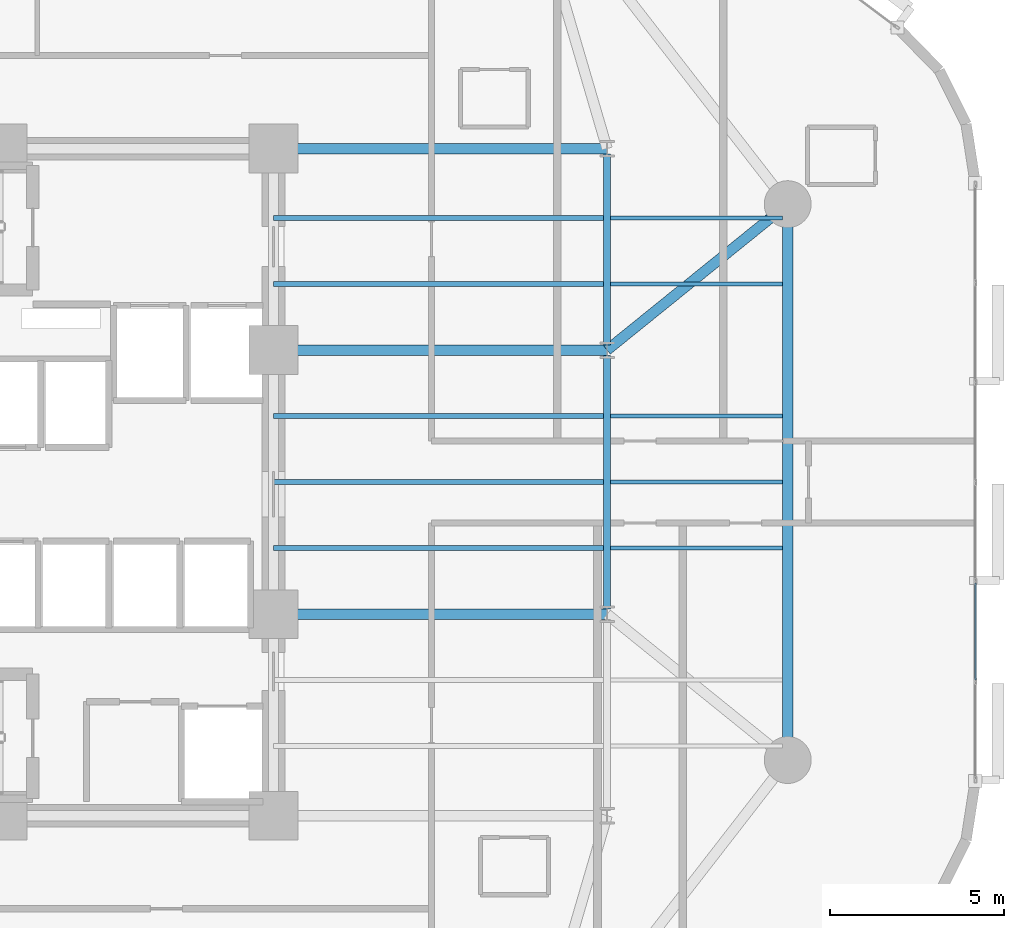
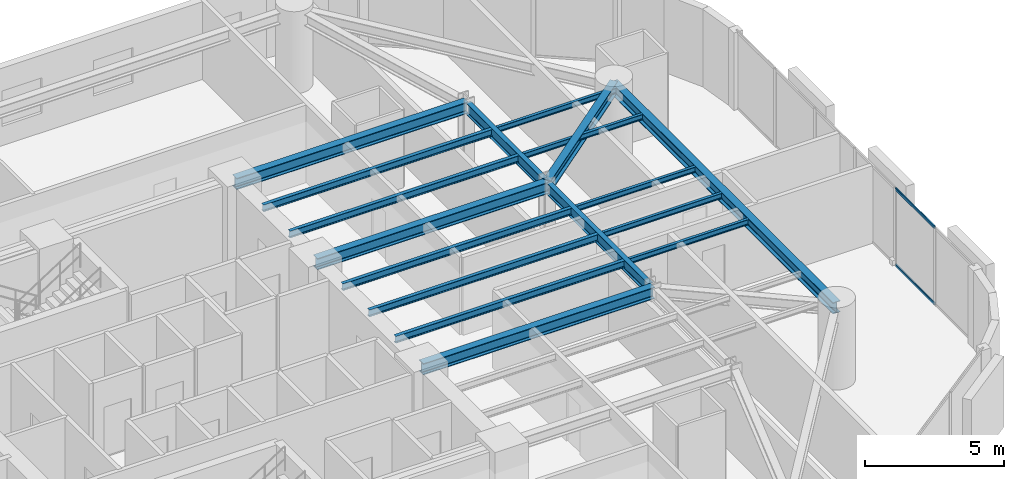
# One storey, part 5 of 16: 17 beams, 2 members, 1 element without a shape of its own.
"""IFC4 building model written with IfcOpenShell, lengths in metres."""

import ifcopenshell
import ifcopenshell.guid

model = None  # the IFC model being written
_history = None  # IfcOwnerHistory: only IFC2X3 demands one
_inside = {}  # id of a spatial element -> (the spatial element, [elements in it])
_under = {}  # id of a project, library or spatial element -> (it, [spatial elements below it])
_declared = {}  # id of a project -> (the project, [libraries it declares])
_typed = {}  # id of a type object -> (the type object, [elements of that type])
_made_of = {}  # id of a material, layer set ... -> (it, [elements and type objects made of it])


def new_model(schema):
    """Start an empty IFC model of exactly this schema.

    Asked for "IFC4X3", IfcOpenShell would pick the latest addendum, in which some entities
    have other attributes; the version numbers below select the first issue.
    IFC2X3 requires an IfcOwnerHistory on every rooted entity: one is made here for all.
    """
    global model, _history
    if schema == "IFC4X3":
        model = ifcopenshell.file(schema_version=(4, 3, 0, 0))
    else:
        model = ifcopenshell.file(schema=schema)
    _inside.clear()
    _under.clear()
    _declared.clear()
    _typed.clear()
    _made_of.clear()
    _history = None
    if model.schema == "IFC2X3":
        org = make("IfcOrganization", Name="unknown")
        user = make(
            "IfcPersonAndOrganization",
            ThePerson=make("IfcPerson", FamilyName="unknown"),
            TheOrganization=org,
        )
        app = make(
            "IfcApplication",
            ApplicationDeveloper=org,
            Version="unknown",
            ApplicationFullName="unknown",
            ApplicationIdentifier="unknown",
        )
        _history = make(
            "IfcOwnerHistory",
            OwningUser=user,
            OwningApplication=app,
            ChangeAction="ADDED",
            CreationDate=0,
        )
    return model


def make(cls, **values):
    """One entity of the class cls with the attributes given. An attribute that is None is left unset."""
    return model.create_entity(
        cls, **{name: value for name, value in values.items() if value is not None}
    )


def rooted(cls, **values):
    """An entity with a GlobalId (a new one), such as an element, a storey or a relation."""
    return make(cls, GlobalId=ifcopenshell.guid.new(), OwnerHistory=_history, **values)


def si_unit(unit_type, name, prefix=None):
    """IfcSIUnit, for example si_unit("LENGTHUNIT", "METRE", prefix="MILLI")."""
    return make("IfcSIUnit", UnitType=unit_type, Prefix=prefix, Name=name)


def assignment(units):
    """IfcUnitAssignment: the units of a project."""
    return None if units is None else make("IfcUnitAssignment", Units=units)


def point(xyz):
    """IfcCartesianPoint."""
    return None if xyz is None else make("IfcCartesianPoint", Coordinates=xyz)


def direction(xyz):
    """IfcDirection."""
    return None if xyz is None else make("IfcDirection", DirectionRatios=xyz)


def frame(location, z_axis=None, x_axis=None):
    """IfcAxis2Placement3D, a coordinate frame: its origin and axes. An axis left out is left unset."""
    return make(
        "IfcAxis2Placement3D",
        Location=point(location),
        Axis=direction(z_axis),
        RefDirection=direction(x_axis),
    )


def frame_2d(location, x_axis=None):
    """IfcAxis2Placement2D, a coordinate frame in the plane: its origin and x axis."""
    return make(
        "IfcAxis2Placement2D", Location=point(location), RefDirection=direction(x_axis)
    )


def origin():
    """The frame at (0, 0, 0) with its axes left unset."""
    return frame((0.0, 0.0, 0.0))


def origin_2d():
    """The frame at (0, 0) in the plane with its x axis left unset."""
    return frame_2d((0.0, 0.0))


def place(relative_to, where):
    """IfcLocalPlacement: puts the frame where relative to a parent placement (None: the world)."""
    return make(
        "IfcLocalPlacement", PlacementRelTo=relative_to, RelativePlacement=where
    )


def context(
    kind, dimensions, precision=None, world=None, true_north=None, identifier=None
):
    """IfcGeometricRepresentationContext, for example the 3D "Model" context."""
    return make(
        "IfcGeometricRepresentationContext",
        ContextIdentifier=identifier,
        ContextType=kind,
        CoordinateSpaceDimension=dimensions,
        Precision=precision,
        WorldCoordinateSystem=world,
        TrueNorth=true_north,
    )


def subcontext(parent, identifier, kind, view, scale=None):
    """IfcGeometricRepresentationSubContext, for example "Body" below "Model"."""
    return make(
        "IfcGeometricRepresentationSubContext",
        ContextIdentifier=identifier,
        ContextType=kind,
        ParentContext=parent,
        TargetScale=scale,
        TargetView=view,
    )


def project(units=None, contexts=None):
    """IfcProject with its units and contexts."""
    return rooted(
        "IfcProject",
        Name="project",
        RepresentationContexts=contexts,
        UnitsInContext=assignment(units),
    )


def spatial(cls, under=None, at=None, **own):
    """A site, building, storey or space (cls), placed at a placement, below another one or the project."""
    s = rooted(cls, ObjectPlacement=at, **own)
    if under is not None:
        _under.setdefault(under.id(), (under, []))[1].append(s)
    return s


def profile(cls, at=None, kind="AREA", **sizes):
    """A parametric profile (cls). Its sizes go by their IFC names, for example OverallWidth=200.0."""
    return make(cls, ProfileType=kind, Position=at, **sizes)


def hollow_rectangle(**sizes):
    """IfcRectangleHollowProfileDef."""
    return profile("IfcRectangleHollowProfileDef", **sizes)


def i_section(**sizes):
    """IfcIShapeProfileDef."""
    return profile("IfcIShapeProfileDef", **sizes)


def extrude(swept, where, along, depth):
    """IfcExtrudedAreaSolid: the profile swept, set in the frame where, extruded along a direction by depth."""
    return make(
        "IfcExtrudedAreaSolid",
        SweptArea=swept,
        Position=where,
        ExtrudedDirection=direction(along),
        Depth=depth,
    )


def shape(context_of_items, identifier, shape_type, items):
    """IfcShapeRepresentation: the items that make up one representation, for example the "Body"."""
    return make(
        "IfcShapeRepresentation",
        ContextOfItems=context_of_items,
        RepresentationIdentifier=identifier,
        RepresentationType=shape_type,
        Items=items,
    )


def material(Name=None, Category=None):
    """IfcMaterial."""
    return make("IfcMaterial", Name=Name, Category=Category)


def layer(
    of_material, thickness, ventilated=None, Name=None, Category=None, Priority=None
):
    """IfcMaterialLayer: one layer of a wall or slab, of a material (None: an air gap)."""
    return make(
        "IfcMaterialLayer",
        Material=of_material,
        LayerThickness=thickness,
        IsVentilated=ventilated,
        Name=Name,
        Category=Category,
        Priority=Priority,
    )


def layer_set(layers, Name=None):
    """IfcMaterialLayerSet."""
    return make("IfcMaterialLayerSet", MaterialLayers=layers, LayerSetName=Name)


def material_profile(
    of_material, cross_section, Name=None, Category=None, Priority=None
):
    """IfcMaterialProfile: a cross section and its material."""
    return make(
        "IfcMaterialProfile",
        Name=Name,
        Material=of_material,
        Profile=cross_section,
        Priority=Priority,
        Category=Category,
    )


def profile_set(profiles, Name=None, composite=None):
    """IfcMaterialProfileSet."""
    return make(
        "IfcMaterialProfileSet",
        Name=Name,
        MaterialProfiles=profiles,
        CompositeProfile=composite,
    )


def made_of(thing, what):
    """Note that an element or type object is made of a material, layer set ...; save() writes the relation."""
    if what is not None:
        _made_of.setdefault(what.id(), (what, []))[1].append(thing)
    return thing


def type_object(cls, material=None, **own):
    """A type object (cls), such as IfcWallType, which elements share."""
    return made_of(rooted(cls, **own), material)


def element(
    cls,
    number,
    at=None,
    inside=None,
    cuts=None,
    type_object=None,
    material=None,
    context=None,
    identifier="Body",
    shape_type=None,
    held_by="IfcProductDefinitionShape",
    body=None,
    shapes=None,
    **own,
):
    """One element of the class cls, such as IfcWall. Its Tag is "e" and its number.

    at: its placement. inside: the storey or other place that contains it. cuts: it is an
    opening in that element (IfcRelVoidsElement). A single representation is given by context,
    identifier, shape_type and body (its items); several are given by shapes. held_by: the class
    of the entity that holds the representations. save() writes the other relations.
    """
    e = rooted(cls, Tag="e%d" % number, ObjectPlacement=at, **own)
    if body is not None:
        shapes = [shape(context, identifier, shape_type, body)]
    if shapes is not None:
        e.Representation = make(held_by, Representations=shapes)
    if inside is not None:
        _inside.setdefault(inside.id(), (inside, []))[1].append(e)
    if cuts is not None:
        rooted(
            "IfcRelVoidsElement", RelatingBuildingElement=cuts, RelatedOpeningElement=e
        )
    if type_object is not None:
        _typed.setdefault(type_object.id(), (type_object, []))[1].append(e)
    return made_of(e, material)


def aggregate(whole, parts):
    """IfcRelAggregates: a whole, such as a stair, and the parts it consists of."""
    return rooted("IfcRelAggregates", RelatingObject=whole, RelatedObjects=parts)


def save(model, path):
    """Write the relations noted so far, then the file.

    IfcRelAggregates (storeys below a building ...), IfcRelContainedInSpatialStructure (elements
    in a storey), IfcRelDefinesByType, IfcRelAssociatesMaterial and IfcRelDeclares: one each for
    every whole, place, type object, material and project.
    """
    for whole, parts in _under.values():
        aggregate(whole, parts)
    for where, things in _inside.values():
        rooted(
            "IfcRelContainedInSpatialStructure",
            RelatedElements=things,
            RelatingStructure=where,
        )
    for kind, things in _typed.values():
        rooted("IfcRelDefinesByType", RelatedObjects=things, RelatingType=kind)
    for what, things in _made_of.values():
        rooted("IfcRelAssociatesMaterial", RelatedObjects=things, RelatingMaterial=what)
    for by, libraries in _declared.values():
        rooted("IfcRelDeclares", RelatingContext=by, RelatedDefinitions=libraries)
    model.write(path)


model = new_model("IFC4")

# Units and contexts
model_context = context("Model", 3, precision=1e-05, world=origin(), true_north=direction((0.0, 1.0)))
body_context = subcontext(model_context, "Body", "Model", "MODEL_VIEW")
ifc_project = project(units=[si_unit("LENGTHUNIT", "METRE"), si_unit("AREAUNIT", "SQUARE_METRE"), si_unit("VOLUMEUNIT", "CUBIC_METRE"), si_unit("PLANEANGLEUNIT", "RADIAN"), si_unit("MASSUNIT", "GRAM", prefix="KILO")], contexts=[model_context])

# Site, building, storey
site_placement = place(None, origin())
site = spatial("IfcSite", under=ifc_project, at=site_placement, CompositionType="ELEMENT")
building_placement = place(site_placement, origin())
building = spatial("IfcBuilding", under=site, at=building_placement, Name="An Khanh Terracotta Commons", CompositionType="ELEMENT")
storey_placement = place(building_placement, frame((0.0, 0.0, 89.89990234375)))
storey = spatial("IfcBuildingStorey", under=building, at=storey_placement, Name="L23", CompositionType="ELEMENT", Elevation=89.89990234375)

# Beams
ifc_material_1 = material(Name="Steel S355J2", Category="steel")
ifc_material_profile_1 = material_profile(ifc_material_1, i_section(OverallWidth=0.300048828125, OverallDepth=0.5, WebThickness=0.014404296875, FlangeThickness=0.028076171875, FilletRadius=0.027099609375, at=origin_2d()), Name="HEB500")
ifc_profile_set_1 = profile_set([ifc_material_profile_1], Name="Steel S355J2")
beam_type_1 = type_object("IfcBeamType", Name="BM-HEB500", PredefinedType="BEAM", material=ifc_profile_set_1)
beam_1_placement = place(storey_placement, frame((52.0, 16.0, 3.150146484375), z_axis=(0.0, 1.0, 0.0), x_axis=(-1.0, 0.0, 0.0)))
element("IfcBeam", 1, at=beam_1_placement, inside=storey, type_object=beam_type_1, Name="L23 Perimeter Ring Spandrel 3", PredefinedType="BEAM", context=body_context, shape_type="SweptSolid", body=[
    extrude(i_section(OverallWidth=0.300048828125, OverallDepth=0.5, WebThickness=0.014404296875, FlangeThickness=0.028076171875, FilletRadius=0.027099609375, at=origin_2d()), origin(), (0.0, 0.0, 1.0), 16.0),
])
for number, where, z_axis, x_axis, name in (
    (2, (37.199951171875, 20.199951171875, 3.150146484375), (1.0, 0.0, 0.0), (0.0, 1.0, 0.0), "L23 East Primary Floor Girder 2"),
    (3, (37.199951171875, 27.800048828125, 3.150146484375), (1.0, 0.0, 0.0), (0.0, 1.0, 0.0), "L23 East Primary Floor Girder 3"),
    (4, (37.199951171875, 33.60009765625, 3.150146484375), (1.0, 0.0, 0.0), (0.0, 1.0, 0.0), "L23 East Primary Floor Girder 4"),
):
    element("IfcBeam", number, at=place(storey_placement, frame(where, z_axis=z_axis, x_axis=x_axis)), inside=storey, type_object=beam_type_1, Name=name, PredefinedType="BEAM", context=body_context, shape_type="SweptSolid", body=[
        extrude(i_section(OverallWidth=0.300048828125, OverallDepth=0.5, WebThickness=0.014404296875, FlangeThickness=0.028076171875, FilletRadius=0.027099609375, at=origin_2d()), origin(), (0.0, 0.0, 1.0), 9.60009765625),
    ])
beam_2_placement = place(storey_placement, frame((52.0, 32.0, 3.150146484375), z_axis=(-0.777941866883, -0.628336256913, 0.0), x_axis=(0.628336256913, -0.777941866883, 0.0)))
element("IfcBeam", 5, at=beam_2_placement, inside=storey, type_object=beam_type_1, Name="L23 Mega-Column Tie Girder 4", PredefinedType="BEAM", context=body_context, shape_type="SweptSolid", body=[
    extrude(i_section(OverallWidth=0.300048828125, OverallDepth=0.5, WebThickness=0.014404296875, FlangeThickness=0.028076171875, FilletRadius=0.027099609375, at=origin_2d()), origin(), (0.0, 0.0, 1.0), 6.684326171875),
])
ifc_material_profile_2 = material_profile(ifc_material_1, i_section(OverallWidth=0.1201171875, OverallDepth=0.239990234375, WebThickness=0.006103515625, FlangeThickness=0.009765625, FilletRadius=0.014892578125, at=origin_2d()), Name="IPE240")
ifc_profile_set_2 = profile_set([ifc_material_profile_2], Name="Steel S355J2")
beam_type_2 = type_object("IfcBeamType", Name="BM-IPE240", PredefinedType="JOIST", material=ifc_profile_set_2)
for number, where, z_axis, x_axis, name in (
    (6, (46.89990234375, 22.10009765625, 3.280029296875), (1.0, 0.0, 0.0), (0.0, 1.0, 0.0), "L23 Riverfront Composite Joist 3"),
    (7, (46.89990234375, 24.0, 3.280029296875), (1.0, 0.0, 0.0), (0.0, 1.0, 0.0), "L23 Riverfront Composite Joist 4"),
    (8, (46.89990234375, 25.89990234375, 3.280029296875), (1.0, 0.0, 0.0), (0.0, 1.0, 0.0), "L23 Riverfront Composite Joist 5"),
    (9, (46.89990234375, 29.699951171875, 3.280029296875), (1.0, 0.0, 0.0), (0.0, 1.0, 0.0), "L23 Riverfront Composite Joist 6"),
    (10, (46.89990234375, 31.60009765625, 3.280029296875), (1.0, 0.0, 0.0), (0.0, 1.0, 0.0), "L23 Riverfront Composite Joist 7"),
):
    element("IfcBeam", number, at=place(storey_placement, frame(where, z_axis=z_axis, x_axis=x_axis)), inside=storey, type_object=beam_type_2, Name=name, PredefinedType="JOIST", context=body_context, shape_type="SweptSolid", body=[
        extrude(i_section(OverallWidth=0.1201171875, OverallDepth=0.239990234375, WebThickness=0.006103515625, FlangeThickness=0.009765625, FilletRadius=0.014892578125, at=origin_2d()), origin(), (0.0, 0.0, 1.0), 4.9501953125),
    ])
ifc_material_profile_3 = material_profile(ifc_material_1, i_section(OverallWidth=0.14990234375, OverallDepth=0.300048828125, WebThickness=0.007080078125, FlangeThickness=0.0107421875, FilletRadius=0.014892578125, at=origin_2d()), Name="IPE300")
ifc_profile_set_3 = profile_set([ifc_material_profile_3], Name="Steel S355J2")
beam_type_3 = type_object("IfcBeamType", Name="BM-IPE300", PredefinedType="JOIST", material=ifc_profile_set_3)
for number, where, z_axis, x_axis, name in (
    (11, (37.199951171875, 22.10009765625, 3.25), (1.0, 0.0, 0.0), (0.0, 1.0, 0.0), "L23 Inboard Composite Joist 3"),
    (12, (37.199951171875, 24.0, 3.25), (1.0, 0.0, 0.0), (0.0, 1.0, 0.0), "L23 Inboard Composite Joist 4"),
    (13, (37.199951171875, 25.89990234375, 3.25), (1.0, 0.0, 0.0), (0.0, 1.0, 0.0), "L23 Inboard Composite Joist 5"),
    (14, (37.199951171875, 29.699951171875, 3.25), (1.0, 0.0, 0.0), (0.0, 1.0, 0.0), "L23 Inboard Composite Joist 6"),
    (15, (37.199951171875, 31.60009765625, 3.25), (1.0, 0.0, 0.0), (0.0, 1.0, 0.0), "L23 Inboard Composite Joist 7"),
):
    element("IfcBeam", number, at=place(storey_placement, frame(where, z_axis=z_axis, x_axis=x_axis)), inside=storey, type_object=beam_type_3, Name=name, PredefinedType="JOIST", context=body_context, shape_type="SweptSolid", body=[
        extrude(i_section(OverallWidth=0.14990234375, OverallDepth=0.300048828125, WebThickness=0.007080078125, FlangeThickness=0.0107421875, FilletRadius=0.014892578125, at=origin_2d()), origin(), (0.0, 0.0, 1.0), 9.5),
    ])
ifc_material_profile_4 = material_profile(ifc_material_1, i_section(OverallWidth=0.199951171875, OverallDepth=0.5, WebThickness=0.01025390625, FlangeThickness=0.01611328125, FilletRadius=0.02099609375, at=origin_2d()), Name="IPE500")
ifc_profile_set_4 = profile_set([ifc_material_profile_4], Name="Steel S355J2")
beam_type_4 = type_object("IfcBeamType", Name="BM-IPE500", PredefinedType="BEAM", material=ifc_profile_set_4)
beam_3_placement = place(storey_placement, frame((46.800048828125, 20.35009765625, 3.150146484375), z_axis=(0.0, 1.0, 0.0), x_axis=(-1.0, 0.0, 0.0)))
element("IfcBeam", 16, at=beam_3_placement, inside=storey, type_object=beam_type_4, Name="L23 East Spine Girder 2", PredefinedType="BEAM", context=body_context, shape_type="SweptSolid", body=[
    extrude(i_section(OverallWidth=0.199951171875, OverallDepth=0.5, WebThickness=0.01025390625, FlangeThickness=0.01611328125, FilletRadius=0.02099609375, at=origin_2d()), origin(), (0.0, 0.0, 1.0), 7.2998046875),
])
beam_4_placement = place(storey_placement, frame((46.800048828125, 27.949951171875, 3.150146484375), z_axis=(0.0, 1.0, 0.0), x_axis=(-1.0, 0.0, 0.0)))
element("IfcBeam", 17, at=beam_4_placement, inside=storey, type_object=beam_type_4, Name="L23 East Spine Girder 3", PredefinedType="BEAM", context=body_context, shape_type="SweptSolid", body=[
    extrude(i_section(OverallWidth=0.199951171875, OverallDepth=0.5, WebThickness=0.01025390625, FlangeThickness=0.01611328125, FilletRadius=0.02099609375, at=origin_2d()), origin(), (0.0, 0.0, 1.0), 5.5),
])

# Curtain wall, members
ifc_material_2 = material(Name="Anodised Aluminium 6063-T6", Category="aluminium")
ifc_layer = layer(ifc_material_2, 0.199951171875, Name="Anodised Aluminium 6063-T6")
ifc_layer_set = layer_set([ifc_layer], Name="Anodised Aluminium 6063-T6")
curtain_wall_type = type_object("IfcCurtainWallType", Name="CW-SYS-02", PredefinedType="USERDEFINED", material=ifc_layer_set)
curtain_wall_placement = place(storey_placement, origin())
curtain_wall = element("IfcCurtainWall", 18, at=curtain_wall_placement, inside=storey, type_object=curtain_wall_type, Name="L23 CW-02 Unitised Curtain Wall CW-L23-12", ObjectType="UNITISED CURTAIN WALL", PredefinedType="USERDEFINED")
ifc_material_profile_5 = material_profile(ifc_material_2, hollow_rectangle(XDim=0.06005859375, YDim=0.1201171875, WallThickness=0.003662109375, InnerFilletRadius=0.003662109375, OuterFilletRadius=0.007080078125, at=origin_2d()), Name="RHS120x60x3.6")
ifc_profile_set_5 = profile_set([ifc_material_profile_5], Name="Anodised Aluminium 6063-T6")
member_type = type_object("IfcMemberType", Name="CWT-RHS120x60x3.6", PredefinedType="USERDEFINED", material=ifc_profile_set_5)
member_1_placement = place(storey_placement, frame((57.39990234375, 18.3017578125, 0.030029296875), z_axis=(0.0, 1.0, 0.0), x_axis=(-1.0, 0.0, 0.0)))
member_1 = element("IfcMember", 19, at=member_1_placement, type_object=member_type, Name="CW-02 transom 2.1", ObjectType="TRANSOM", PredefinedType="USERDEFINED", context=body_context, shape_type="SweptSolid", body=[
    extrude(hollow_rectangle(XDim=0.06005859375, YDim=0.1201171875, WallThickness=0.003662109375, InnerFilletRadius=0.003662109375, OuterFilletRadius=0.007080078125, at=origin_2d()), origin(), (0.0, 0.0, 1.0), 2.796630859375),
])
member_2_placement = place(storey_placement, frame((57.39990234375, 18.3017578125, 3.3701171875), z_axis=(0.0, 1.0, 0.0), x_axis=(-1.0, 0.0, 0.0)))
member_2 = element("IfcMember", 20, at=member_2_placement, type_object=member_type, Name="CW-02 transom 2.2", ObjectType="TRANSOM", PredefinedType="USERDEFINED", context=body_context, shape_type="SweptSolid", body=[
    extrude(hollow_rectangle(XDim=0.06005859375, YDim=0.1201171875, WallThickness=0.003662109375, InnerFilletRadius=0.003662109375, OuterFilletRadius=0.007080078125, at=origin_2d()), origin(), (0.0, 0.0, 1.0), 2.796630859375),
])
aggregate(curtain_wall, [member_1, member_2])

save(model, "model.ifc")
